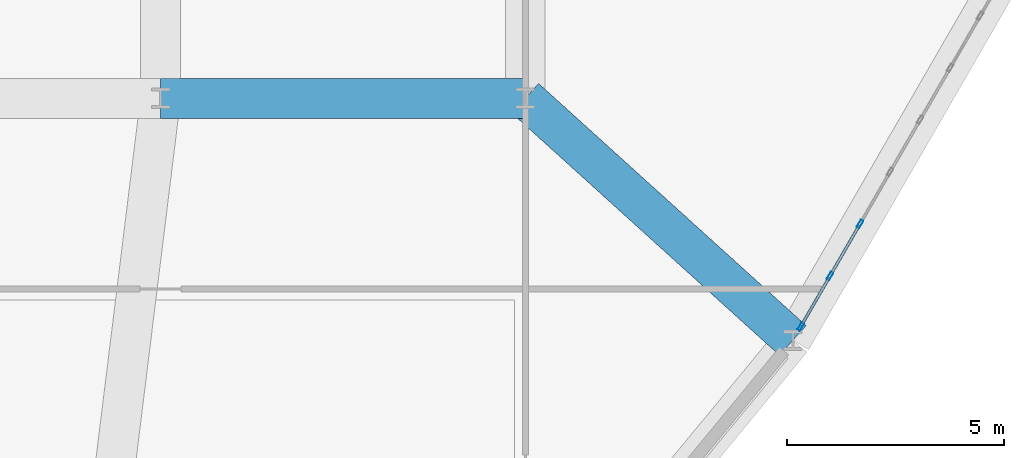
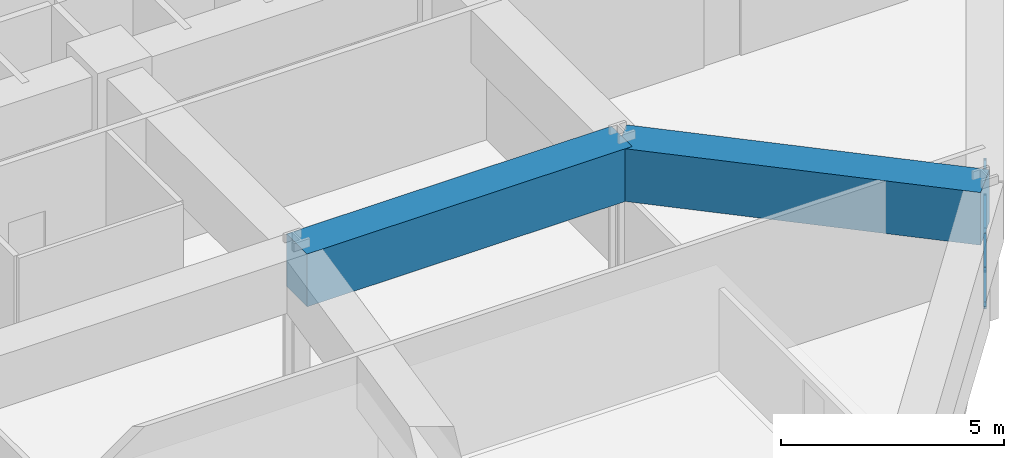
# One storey, part 6 of 20: 7 members, 2 beams, 1 element without a shape of its own.
"""IFC4 building model written with IfcOpenShell, lengths in metres."""

from ifc_helpers import new_model, si_unit, derived_unit, direction, frame, origin, origin_2d, place, context, subcontext, project, spatial, rectangle, hollow_rectangle, extrude, source, transform, mapped, material, layer, layer_set, material_profile, profile_set, type_object, element, aggregate, save


model = new_model("IFC4")

# Units and contexts
model_context = context("Model", 3, precision=1e-05, world=origin(), true_north=direction((0.0, 1.0)))
body_context = subcontext(model_context, "Body", "Model", "MODEL_VIEW")
ifc_project = project(units=[si_unit("LENGTHUNIT", "METRE"), si_unit("AREAUNIT", "SQUARE_METRE"), si_unit("VOLUMEUNIT", "CUBIC_METRE"), si_unit("PLANEANGLEUNIT", "RADIAN"), si_unit("MASSUNIT", "GRAM", prefix="KILO"), derived_unit("THERMALTRANSMITTANCEUNIT", [(si_unit("POWERUNIT", "WATT"), 1), (si_unit("LENGTHUNIT", "METRE"), -2), (si_unit("THERMODYNAMICTEMPERATUREUNIT", "KELVIN"), -1)])], contexts=[model_context])

# Site, building, storey
site_placement = place(None, origin())
site = spatial("IfcSite", under=ifc_project, at=site_placement, CompositionType="ELEMENT")
building_placement = place(site_placement, origin())
building = spatial("IfcBuilding", under=site, at=building_placement, Name="Korsvarv Bourse and Concert Hall", CompositionType="ELEMENT")
storey_placement = place(building_placement, frame((0.0, 0.0, 39.60009765625)))
storey = spatial("IfcBuildingStorey", under=building, at=storey_placement, Name="L09", CompositionType="ELEMENT", Elevation=39.60009765625)

# Beams
ifc_material_1 = material(Name="Concrete C50/60", Category="concrete")
ifc_material_profile_1 = material_profile(ifc_material_1, rectangle(XDim=0.919921875, YDim=1.43994140625, at=origin_2d()), Name="RC-BM 920x1440")
ifc_profile_set_1 = profile_set([ifc_material_profile_1], Name="Concrete C50/60")
beam_type = type_object("IfcBeamType", Name="BM-TR-144", PredefinedType="BEAM", material=ifc_profile_set_1)
shared_shape_1 = source(origin(), body_context, "Body", "SweptSolid", [
    extrude(rectangle(XDim=0.919921875, YDim=1.43994140625, at=origin_2d()), origin(), (0.0, 0.0, 1.0), 8.39990234375),
])
beam_1_placement = place(storey_placement, frame((36.0, 24.0, 2.9599609375), z_axis=(1.0, 0.0, 0.0), x_axis=(0.0, 1.0, 0.0)))
element("IfcBeam", 1, at=beam_1_placement, inside=storey, type_object=beam_type, Name="L09 beam B-TR4", PredefinedType="BEAM", context=body_context, shape_type="MappedRepresentation", body=[
    mapped(shared_shape_1, transform((0.0, 0.0, 0.0), scale=1.0)),
])
shared_shape_2 = source(origin(), body_context, "Body", "SweptSolid", [
    extrude(rectangle(XDim=0.919921875, YDim=1.43994140625, at=origin_2d()), origin(), (0.0, 0.0, 1.0), 8.31298828125),
])
beam_2_placement = place(storey_placement, frame((50.563720703125, 18.422119140625, 2.9599609375), z_axis=(-0.741470373588, 0.670985607216, 0.0), x_axis=(-0.670985607216, -0.741470373588, 0.0)))
element("IfcBeam", 2, at=beam_2_placement, inside=storey, type_object=beam_type, Name="L09 beam B-TR4", PredefinedType="BEAM", context=body_context, shape_type="MappedRepresentation", body=[
    mapped(shared_shape_2, transform((0.0, 0.0, 0.0), scale=1.0)),
])

# Curtain wall, members
ifc_material_2 = material(Name="Anodised aluminium and triple low-E glazing", Category="glass")
ifc_layer = layer(ifc_material_2, 0.219970703125)
ifc_layer_set = layer_set([ifc_layer], Name="Anodised aluminium and triple low-E glazing")
curtain_wall_type = type_object("IfcCurtainWallType", Name="CW-SYS-1", PredefinedType="NOTDEFINED", material=ifc_layer_set)
curtain_wall_placement = place(storey_placement, origin())
curtain_wall = element("IfcCurtainWall", 3, at=curtain_wall_placement, inside=storey, type_object=curtain_wall_type, Name="L09 CW1 curtain wall CW-L09-F11", PredefinedType="NOTDEFINED")
ifc_material_3 = material(Name="Extruded aluminium EN AW-6063 T66", Category="aluminium")
ifc_material_profile_2 = material_profile(ifc_material_3, hollow_rectangle(XDim=0.070068359375, YDim=0.18994140625, WallThickness=0.0048828125, at=origin_2d()), Name="ALU-M 70x190")
ifc_profile_set_2 = profile_set([ifc_material_profile_2], Name="Extruded aluminium EN AW-6063 T66")
member_type_1 = type_object("IfcMemberType", Name="CWM-190", PredefinedType="MULLION", material=ifc_profile_set_2)
shared_shape_3 = source(origin(), body_context, "Body", "SweptSolid", [
    extrude(hollow_rectangle(XDim=0.070068359375, YDim=0.18994140625, WallThickness=0.0048828125, at=origin_2d()), origin(), (0.0, 0.0, 1.0), 2.079833984375),
])
member_1_placement = place(storey_placement, frame((50.746826171875, 18.7392578125, 0.0), z_axis=(0.0, 0.0, 1.0), x_axis=(-0.866025616828, 0.499999630998, 0.0)))
member_1 = element("IfcMember", 4, at=member_1_placement, type_object=member_type_1, Name="CW1 mullion 1", PredefinedType="MULLION", context=body_context, shape_type="MappedRepresentation", body=[
    mapped(shared_shape_3, transform((0.0, 0.0, 0.0), scale=1.0)),
])
member_2_placement = place(storey_placement, frame((51.421142578125, 19.9072265625, 0.0), z_axis=(0.0, 0.0, 1.0), x_axis=(-0.866025616828, 0.499999630998, 0.0)))
member_2 = element("IfcMember", 5, at=member_2_placement, type_object=member_type_1, Name="CW1 mullion 2", PredefinedType="MULLION", context=body_context, shape_type="MappedRepresentation", body=[
    mapped(shared_shape_3, transform((0.0, 0.0, 0.0), scale=1.0)),
])
member_3_placement = place(storey_placement, frame((52.113037109375, 21.10546875, 0.0), z_axis=(0.0, 0.0, 1.0), x_axis=(-0.866025616828, 0.499999630998, 0.0)))
member_3 = element("IfcMember", 6, at=member_3_placement, type_object=member_type_1, Name="CW1 mullion 3", PredefinedType="MULLION", context=body_context, shape_type="MappedRepresentation", body=[
    mapped(shared_shape_3, transform((0.0, 0.0, 0.0), scale=1.0)),
])
ifc_material_profile_3 = material_profile(ifc_material_3, hollow_rectangle(XDim=0.06494140625, YDim=0.139892578125, WallThickness=0.00390625, at=origin_2d()), Name="ALU-T 65x140")
ifc_profile_set_3 = profile_set([ifc_material_profile_3], Name="Extruded aluminium EN AW-6063 T66")
member_type_2 = type_object("IfcMemberType", Name="CWT-140", PredefinedType="USERDEFINED", material=ifc_profile_set_3)
shared_shape_4 = source(origin(), body_context, "Body", "SweptSolid", [
    extrude(hollow_rectangle(XDim=0.06494140625, YDim=0.139892578125, WallThickness=0.00390625, at=origin_2d()), origin(), (0.0, 0.0, 1.0), 1.27880859375),
])
member_4_placement = place(storey_placement, frame((50.764404296875, 18.76953125, 0.032470703125), z_axis=(0.50001992892, 0.866013897511, 0.0), x_axis=(-0.866013897511, 0.50001992892, 0.0)))
member_4 = element("IfcMember", 7, at=member_4_placement, type_object=member_type_2, Name="CW1 transom 1.1", ObjectType="TRANSOM", PredefinedType="USERDEFINED", context=body_context, shape_type="MappedRepresentation", body=[
    mapped(shared_shape_4, transform((0.0, 0.0, 0.0), scale=1.0)),
])
member_5_placement = place(storey_placement, frame((50.764404296875, 18.76953125, 2.04736328125), z_axis=(0.50001992892, 0.866013897511, 0.0), x_axis=(-0.866013897511, 0.50001992892, 0.0)))
member_5 = element("IfcMember", 8, at=member_5_placement, type_object=member_type_2, Name="CW1 transom 1.2", ObjectType="TRANSOM", PredefinedType="USERDEFINED", context=body_context, shape_type="MappedRepresentation", body=[
    mapped(shared_shape_4, transform((0.0, 0.0, 0.0), scale=1.0)),
])
shared_shape_5 = source(origin(), body_context, "Body", "SweptSolid", [
    extrude(hollow_rectangle(XDim=0.06494140625, YDim=0.139892578125, WallThickness=0.00390625, at=origin_2d()), origin(), (0.0, 0.0, 1.0), 1.313720703125),
])
member_6_placement = place(storey_placement, frame((51.438720703125, 19.9375, 0.032470703125), z_axis=(0.499936960004, 0.866061796884, 0.0), x_axis=(-0.866061796884, 0.499936960004, 0.0)))
member_6 = element("IfcMember", 9, at=member_6_placement, type_object=member_type_2, Name="CW1 transom 2.1", ObjectType="TRANSOM", PredefinedType="USERDEFINED", context=body_context, shape_type="MappedRepresentation", body=[
    mapped(shared_shape_5, transform((0.0, 0.0, 0.0), scale=1.0)),
])
member_7_placement = place(storey_placement, frame((51.438720703125, 19.9375, 2.04736328125), z_axis=(0.499936960004, 0.866061796884, 0.0), x_axis=(-0.866061796884, 0.499936960004, 0.0)))
member_7 = element("IfcMember", 10, at=member_7_placement, type_object=member_type_2, Name="CW1 transom 2.2", ObjectType="TRANSOM", PredefinedType="USERDEFINED", context=body_context, shape_type="MappedRepresentation", body=[
    mapped(shared_shape_5, transform((0.0, 0.0, 0.0), scale=1.0)),
])
aggregate(curtain_wall, [member_1, member_2, member_3, member_4, member_5, member_6, member_7])

save(model, "model.ifc")
